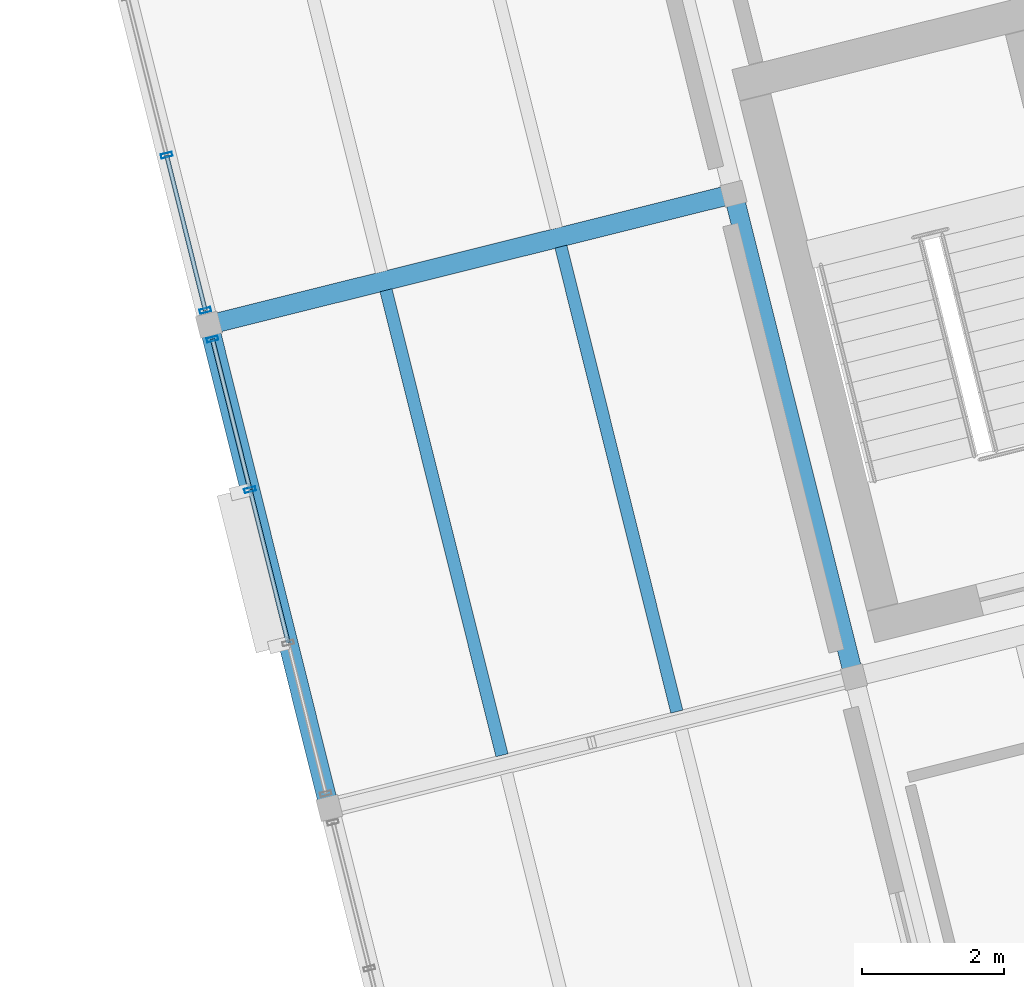
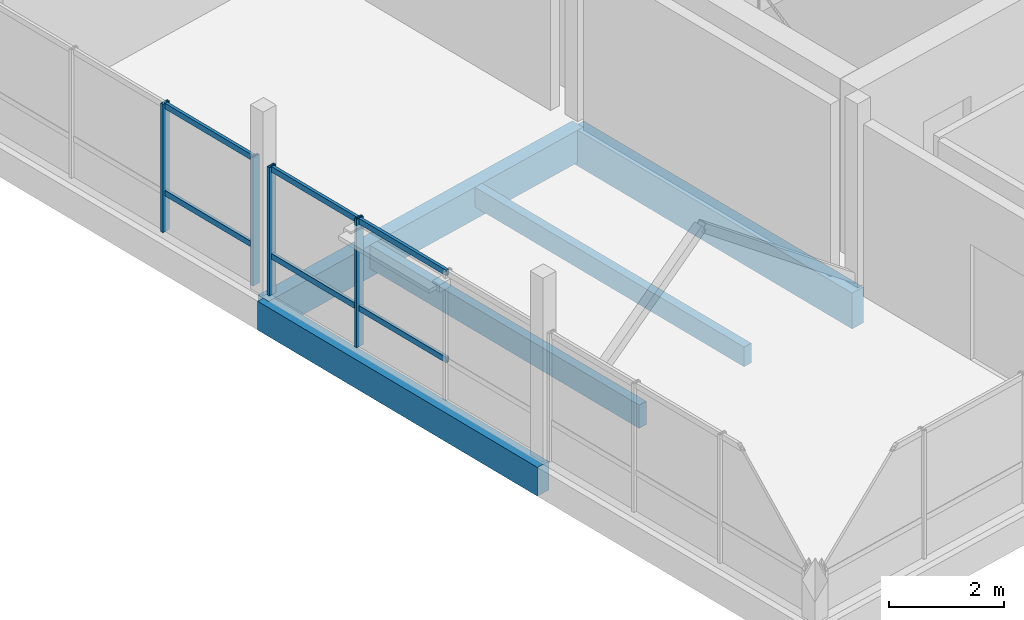
# One storey, part 4 of 24: 10 members, 5 beams, 2 elements without a shape of their own.
"""IFC4 building model written with IfcOpenShell, lengths in metres."""

from ifc_helpers import new_model, si_unit, direction, frame, origin, origin_2d, place, context, subcontext, project, spatial, rectangle, hollow_rectangle, extrude, material, layer, layer_set, material_profile, profile_set, type_object, element, aggregate, save


model = new_model("IFC4")

# Units and contexts
model_context = context("Model", 3, precision=1e-05, world=origin(), true_north=direction((0.0, 1.0)))
body_context = subcontext(model_context, "Body", "Model", "MODEL_VIEW")
ifc_project = project(units=[si_unit("LENGTHUNIT", "METRE"), si_unit("AREAUNIT", "SQUARE_METRE"), si_unit("VOLUMEUNIT", "CUBIC_METRE"), si_unit("PLANEANGLEUNIT", "RADIAN"), si_unit("MASSUNIT", "GRAM", prefix="KILO")], contexts=[model_context])

# Site, building, storey
site_placement = place(None, origin())
site = spatial("IfcSite", under=ifc_project, at=site_placement, CompositionType="ELEMENT")
building_placement = place(site_placement, origin())
building = spatial("IfcBuilding", under=site, at=building_placement, Name="Meriwether Solvik Hall", CompositionType="ELEMENT")
storey_placement = place(building_placement, frame((0.0, 0.0, 57.300048828125)))
storey = spatial("IfcBuildingStorey", under=building, at=storey_placement, Name="L14", CompositionType="ELEMENT", Elevation=57.300048828125)

# Beams
ifc_material_1 = material(Name="Glulam Douglas-Fir 24F-V8 GL28h", Category="wood")
ifc_material_profile_1 = material_profile(ifc_material_1, rectangle(XDim=0.27294921875, YDim=0.610107421875, at=origin_2d()), Name="GLB-273X610")
ifc_profile_set_1 = profile_set([ifc_material_profile_1], Name="Glulam Douglas-Fir 24F-V8 GL28h")
beam_type_1 = type_object("IfcBeamType", Name="BM-GL-273X610", PredefinedType="SPANDREL", material=ifc_profile_set_1)
beam_1_placement = place(storey_placement, frame((66.954833984375, 47.798095703125, -0.505126953125), z_axis=(-0.241911879182, 0.970298223594, 0.0), x_axis=(-0.970298223594, -0.241911879182, 0.0)))
element("IfcBeam", 1, at=beam_1_placement, inside=storey, type_object=beam_type_1, Name="Tower Girder T1:TB-TC (L14)", PredefinedType="SPANDREL", context=body_context, shape_type="SweptSolid", body=[
    extrude(rectangle(XDim=0.27294921875, YDim=0.610107421875, at=origin_2d()), origin(), (0.0, 0.0, 1.0), 7.0),
])
ifc_material_2 = material(Name="Glulam Douglas-Fir 24F-V8 GL28h", Category="wood")
ifc_material_profile_2 = material_profile(ifc_material_2, rectangle(XDim=0.27294921875, YDim=0.68505859375, at=origin_2d()), Name="GLB-273X685")
ifc_profile_set_2 = profile_set([ifc_material_profile_2], Name="Glulam Douglas-Fir 24F-V8 GL28h")
beam_type_2 = type_object("IfcBeamType", Name="BM-GL-273X685", PredefinedType="BEAM", material=ifc_profile_set_2)
beam_2_placement = place(storey_placement, frame((65.261474609375, 54.590087890625, -0.54248046875), z_axis=(0.970295366785, 0.241923337436, 0.0), x_axis=(-0.241923337436, 0.970295366785, 0.0)))
element("IfcBeam", 2, at=beam_2_placement, inside=storey, type_object=beam_type_2, Name="Tower Girder TC:T1-T2 (L14)", PredefinedType="BEAM", context=body_context, shape_type="SweptSolid", body=[
    extrude(rectangle(XDim=0.27294921875, YDim=0.68505859375, at=origin_2d()), origin(), (0.0, 0.0, 1.0), 7.60009765625),
])
ifc_material_3 = material(Name="Glulam Douglas-Fir 24F-V8 GL28h", Category="wood")
ifc_material_profile_3 = material_profile(ifc_material_3, rectangle(XDim=0.27294921875, YDim=0.760009765625, at=origin_2d()), Name="GLB-273X760")
ifc_profile_set_3 = profile_set([ifc_material_profile_3], Name="Glulam Douglas-Fir 24F-V8 GL28h")
beam_type_3 = type_object("IfcBeamType", Name="BM-GL-273X760", PredefinedType="BEAM", material=ifc_profile_set_3)
beam_3_placement = place(storey_placement, frame((74.3291015625, 49.63671875, -0.580078125), z_axis=(-0.241911879182, 0.970298223594, 0.0), x_axis=(-0.970298223594, -0.241911879182, 0.0)))
element("IfcBeam", 3, at=beam_3_placement, inside=storey, type_object=beam_type_3, Name="Tower Girder T2:TB-TC (L14)", PredefinedType="BEAM", context=body_context, shape_type="SweptSolid", body=[
    extrude(rectangle(XDim=0.27294921875, YDim=0.760009765625, at=origin_2d()), origin(), (0.0, 0.0, 1.0), 7.0),
])

# Curtain wall, members
ifc_material_4 = material(Name="Thermally Broken Anodised Aluminium 6063-T6 and Low-E Glass", Category="aluminium")
ifc_layer_1 = layer(ifc_material_4, 0.179931640625)
ifc_layer_set_1 = layer_set([ifc_layer_1], Name="Thermally Broken Anodised Aluminium 6063-T6 and Low-E Glass")
curtain_wall_type_1 = type_object("IfcCurtainWallType", Name="CW-UNIT-B", PredefinedType="USERDEFINED", material=ifc_layer_set_1)
curtain_wall_1_placement = place(storey_placement, origin())
curtain_wall_1 = element("IfcCurtainWall", 4, at=curtain_wall_1_placement, inside=storey, type_object=curtain_wall_type_1, Name="Curtain Wall E3_B1 (L14)", ObjectType="UNITISED CURTAIN WALL", PredefinedType="USERDEFINED")
ifc_material_5 = material(Name="Anodised Aluminium 6063-T6", Category="aluminium")
ifc_material_profile_4 = material_profile(ifc_material_5, hollow_rectangle(XDim=0.06005859375, YDim=0.159912109375, WallThickness=0.00390625, at=origin_2d()), Name="CWM-60X160")
ifc_profile_set_4 = profile_set([ifc_material_profile_4], Name="Anodised Aluminium 6063-T6")
member_type_1 = type_object("IfcMemberType", Name="CW-MUL-60X160", PredefinedType="MULLION", material=ifc_profile_set_4)
member_1_placement = place(storey_placement, frame((65.839599609375, 52.271240234375, 0.0), z_axis=(0.0, 0.0, 1.0), x_axis=(-0.241921784185, 0.970295754055, 0.0)))
member_1 = element("IfcMember", 5, at=member_1_placement, type_object=member_type_1, Name="Curtain Wall Mullion 3", PredefinedType="MULLION", context=body_context, shape_type="SweptSolid", body=[
    extrude(hollow_rectangle(XDim=0.06005859375, YDim=0.159912109375, WallThickness=0.00390625, at=origin_2d()), origin(), (0.0, 0.0, 1.0), 2.724853515625),
])
member_2_placement = place(storey_placement, frame((65.311767578125, 54.388671875, 0.0), z_axis=(0.0, 0.0, 1.0), x_axis=(-0.241921784185, 0.970295754055, 0.0)))
member_2 = element("IfcMember", 6, at=member_2_placement, type_object=member_type_1, Name="Curtain Wall Mullion 4", PredefinedType="MULLION", context=body_context, shape_type="SweptSolid", body=[
    extrude(hollow_rectangle(XDim=0.06005859375, YDim=0.159912109375, WallThickness=0.00390625, at=origin_2d()), origin(), (0.0, 0.0, 1.0), 2.724853515625),
])

ifc_material_6 = material(Name="Thermally Broken Anodised Aluminium 6063-T6 and Low-E Glass", Category="aluminium")
ifc_layer_2 = layer(ifc_material_6, 0.179931640625)
ifc_layer_set_2 = layer_set([ifc_layer_2], Name="Thermally Broken Anodised Aluminium 6063-T6 and Low-E Glass")
curtain_wall_type_2 = type_object("IfcCurtainWallType", Name="CW-UNIT-C", PredefinedType="USERDEFINED", material=ifc_layer_set_2)
curtain_wall_2_placement = place(storey_placement, origin())
curtain_wall_2 = element("IfcCurtainWall", 7, at=curtain_wall_2_placement, inside=storey, type_object=curtain_wall_type_2, Name="Curtain Wall E3_B2 (L14)", ObjectType="UNITISED CURTAIN WALL", PredefinedType="USERDEFINED")
member_3_placement = place(storey_placement, frame((65.211181640625, 54.79150390625, 0.0), z_axis=(0.0, 0.0, 1.0), x_axis=(-0.241921877598, 0.970295730764, 0.0)))
member_3 = element("IfcMember", 8, at=member_3_placement, type_object=member_type_1, Name="Curtain Wall Mullion 1", PredefinedType="MULLION", context=body_context, shape_type="SweptSolid", body=[
    extrude(hollow_rectangle(XDim=0.06005859375, YDim=0.159912109375, WallThickness=0.00390625, at=origin_2d()), origin(), (0.0, 0.0, 1.0), 2.724853515625),
])
member_4_placement = place(storey_placement, frame((64.667236328125, 56.9736328125, 0.0), z_axis=(0.0, 0.0, 1.0), x_axis=(-0.241921877598, 0.970295730764, 0.0)))
member_4 = element("IfcMember", 9, at=member_4_placement, type_object=member_type_1, Name="Curtain Wall Mullion 2", PredefinedType="MULLION", context=body_context, shape_type="SweptSolid", body=[
    extrude(hollow_rectangle(XDim=0.06005859375, YDim=0.159912109375, WallThickness=0.00390625, at=origin_2d()), origin(), (0.0, 0.0, 1.0), 2.724853515625),
])

# Member
ifc_material_7 = material(Name="Anodised Aluminium 6063-T6", Category="aluminium")
ifc_material_profile_5 = material_profile(ifc_material_7, hollow_rectangle(XDim=0.06005859375, YDim=0.1201171875, WallThickness=0.00390625, at=origin_2d()), Name="CWT-60X120")
ifc_profile_set_5 = profile_set([ifc_material_profile_5], Name="Anodised Aluminium 6063-T6")
member_type_2 = type_object("IfcMemberType", Name="CW-TRN-60X120", PredefinedType="USERDEFINED", material=ifc_profile_set_5)
member_5_placement = place(storey_placement, frame((66.376708984375, 50.116943359375, 0.8173828125), z_axis=(-0.241914618046, 0.970297540745, 0.0), x_axis=(-0.970297540745, -0.241914618046, 0.0)))
member_5 = element("IfcMember", 10, at=member_5_placement, type_object=member_type_2, Name="Curtain Wall Transom 2-sill", ObjectType="TRANSOM", PredefinedType="USERDEFINED", context=body_context, shape_type="SweptSolid", body=[
    extrude(hollow_rectangle(XDim=0.06005859375, YDim=0.1201171875, WallThickness=0.00390625, at=origin_2d()), origin(), (0.0, 0.0, 1.0), 2.22021484375),
])

member_6_placement = place(storey_placement, frame((66.376708984375, 50.116943359375, 2.6650390625), z_axis=(-0.241914618046, 0.970297540745, 0.0), x_axis=(-0.970297540745, -0.241914618046, 0.0)))
member_6 = element("IfcMember", 11, at=member_6_placement, type_object=member_type_2, Name="Curtain Wall Transom 2-head", ObjectType="TRANSOM", PredefinedType="USERDEFINED", context=body_context, shape_type="SweptSolid", body=[
    extrude(hollow_rectangle(XDim=0.06005859375, YDim=0.1201171875, WallThickness=0.00390625, at=origin_2d()), origin(), (0.0, 0.0, 1.0), 2.22021484375),
])

member_7_placement = place(storey_placement, frame((65.839599609375, 52.271240234375, 0.8173828125), z_axis=(-0.241877470874, 0.970306801524, 0.0), x_axis=(-0.970306801524, -0.241877470874, 0.0)))
member_7 = element("IfcMember", 12, at=member_7_placement, type_object=member_type_2, Name="Curtain Wall Transom 3-sill", ObjectType="TRANSOM", PredefinedType="USERDEFINED", context=body_context, shape_type="SweptSolid", body=[
    extrude(hollow_rectangle(XDim=0.06005859375, YDim=0.1201171875, WallThickness=0.00390625, at=origin_2d()), origin(), (0.0, 0.0, 1.0), 2.18212890625),
])

member_8_placement = place(storey_placement, frame((65.839599609375, 52.271240234375, 2.6650390625), z_axis=(-0.241877470874, 0.970306801524, 0.0), x_axis=(-0.970306801524, -0.241877470874, 0.0)))
member_8 = element("IfcMember", 13, at=member_8_placement, type_object=member_type_2, Name="Curtain Wall Transom 3-head", ObjectType="TRANSOM", PredefinedType="USERDEFINED", context=body_context, shape_type="SweptSolid", body=[
    extrude(hollow_rectangle(XDim=0.06005859375, YDim=0.1201171875, WallThickness=0.00390625, at=origin_2d()), origin(), (0.0, 0.0, 1.0), 2.18212890625),
])

aggregate(curtain_wall_1, [member_1, member_2, member_5, member_6, member_7, member_8])

member_9_placement = place(storey_placement, frame((65.211181640625, 54.79150390625, 0.8173828125), z_axis=(-0.241871437108, 0.970308305597, 0.0), x_axis=(-0.970308305597, -0.241871437108, 0.0)))
member_9 = element("IfcMember", 14, at=member_9_placement, type_object=member_type_2, Name="Curtain Wall Transom 1-sill", ObjectType="TRANSOM", PredefinedType="USERDEFINED", context=body_context, shape_type="SweptSolid", body=[
    extrude(hollow_rectangle(XDim=0.06005859375, YDim=0.1201171875, WallThickness=0.00390625, at=origin_2d()), origin(), (0.0, 0.0, 1.0), 2.2490234375),
])

member_10_placement = place(storey_placement, frame((65.211181640625, 54.79150390625, 2.6650390625), z_axis=(-0.241871437108, 0.970308305597, 0.0), x_axis=(-0.970308305597, -0.241871437108, 0.0)))
member_10 = element("IfcMember", 15, at=member_10_placement, type_object=member_type_2, Name="Curtain Wall Transom 1-head", ObjectType="TRANSOM", PredefinedType="USERDEFINED", context=body_context, shape_type="SweptSolid", body=[
    extrude(hollow_rectangle(XDim=0.06005859375, YDim=0.1201171875, WallThickness=0.00390625, at=origin_2d()), origin(), (0.0, 0.0, 1.0), 2.2490234375),
])

aggregate(curtain_wall_2, [member_3, member_4, member_9, member_10])

# Beams
ifc_material_8 = material(Name="Glulam Douglas-Fir 24F-V8 GL28h", Category="wood")
ifc_material_profile_6 = material_profile(ifc_material_8, rectangle(XDim=0.175048828125, YDim=0.419921875, at=origin_2d()), Name="GLJ-175X420")
ifc_profile_set_6 = profile_set([ifc_material_profile_6], Name="Glulam Douglas-Fir 24F-V8 GL28h")
beam_type_4 = type_object("IfcBeamType", Name="JST-GL-175X420", PredefinedType="JOIST", material=ifc_profile_set_6)
beam_4_placement = place(storey_placement, frame((71.83935546875, 49.1513671875, -0.41015625), z_axis=(-0.241930176813, 0.9702936615, 0.0), x_axis=(-0.9702936615, -0.241930176813, 0.0)))
element("IfcBeam", 16, at=beam_4_placement, inside=storey, type_object=beam_type_4, Name="Glulam Floor Joist T1/TB-J2 (L14)", PredefinedType="JOIST", context=body_context, shape_type="SweptSolid", body=[
    extrude(rectangle(XDim=0.175048828125, YDim=0.419921875, at=origin_2d()), origin(), (0.0, 0.0, 1.0), 6.737060546875),
])
ifc_material_9 = material(Name="Glulam Douglas-Fir 24F-V8 GL28h", Category="wood")
ifc_material_profile_7 = material_profile(ifc_material_9, rectangle(XDim=0.175048828125, YDim=0.4951171875, at=origin_2d()), Name="GLJ-175X495")
ifc_profile_set_7 = profile_set([ifc_material_profile_7], Name="Glulam Douglas-Fir 24F-V8 GL28h")
beam_type_5 = type_object("IfcBeamType", Name="JST-GL-175X495", PredefinedType="JOIST", material=ifc_profile_set_7)
beam_5_placement = place(storey_placement, frame((69.381103515625, 48.53857421875, -0.447509765625), z_axis=(-0.241930176813, 0.9702936615, 0.0), x_axis=(-0.9702936615, -0.241930176813, 0.0)))
element("IfcBeam", 17, at=beam_5_placement, inside=storey, type_object=beam_type_5, Name="Glulam Floor Joist T1/TB-J1 (L14)", PredefinedType="JOIST", context=body_context, shape_type="SweptSolid", body=[
    extrude(rectangle(XDim=0.175048828125, YDim=0.4951171875, at=origin_2d()), origin(), (0.0, 0.0, 1.0), 6.737060546875),
])

save(model, "model.ifc")
